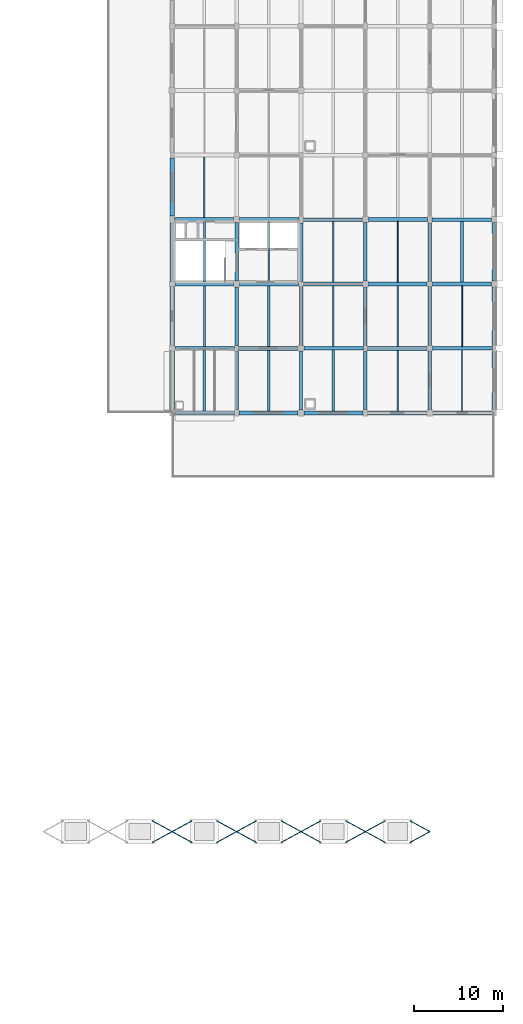
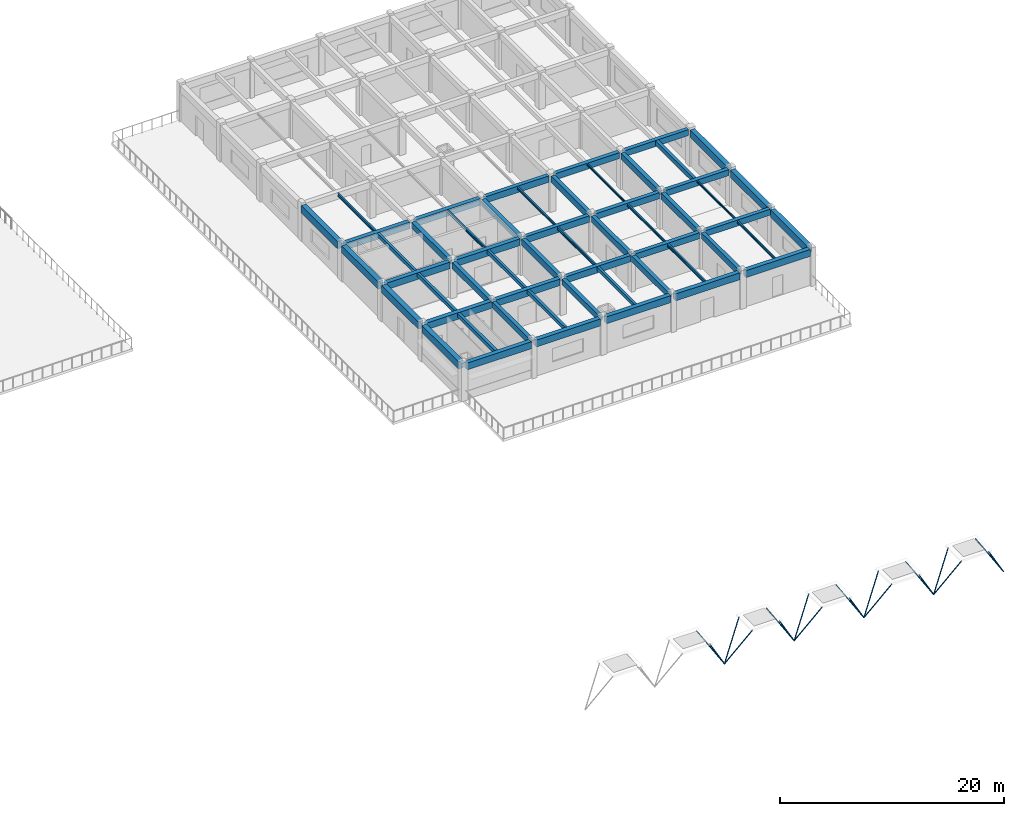
# One storey, part 8 of 38: 55 beams, 18 members.
"""IFC4 building model written with IfcOpenShell, lengths in metres."""

import ifcopenshell
import ifcopenshell.guid

model = None  # the IFC model being written
_history = None  # IfcOwnerHistory: only IFC2X3 demands one
_inside = {}  # id of a spatial element -> (the spatial element, [elements in it])
_under = {}  # id of a project, library or spatial element -> (it, [spatial elements below it])
_declared = {}  # id of a project -> (the project, [libraries it declares])
_typed = {}  # id of a type object -> (the type object, [elements of that type])
_made_of = {}  # id of a material, layer set ... -> (it, [elements and type objects made of it])


def new_model(schema):
    """Start an empty IFC model of exactly this schema.

    Asked for "IFC4X3", IfcOpenShell would pick the latest addendum, in which some entities
    have other attributes; the version numbers below select the first issue.
    IFC2X3 requires an IfcOwnerHistory on every rooted entity: one is made here for all.
    """
    global model, _history
    if schema == "IFC4X3":
        model = ifcopenshell.file(schema_version=(4, 3, 0, 0))
    else:
        model = ifcopenshell.file(schema=schema)
    _inside.clear()
    _under.clear()
    _declared.clear()
    _typed.clear()
    _made_of.clear()
    _history = None
    if model.schema == "IFC2X3":
        org = make("IfcOrganization", Name="unknown")
        user = make(
            "IfcPersonAndOrganization",
            ThePerson=make("IfcPerson", FamilyName="unknown"),
            TheOrganization=org,
        )
        app = make(
            "IfcApplication",
            ApplicationDeveloper=org,
            Version="unknown",
            ApplicationFullName="unknown",
            ApplicationIdentifier="unknown",
        )
        _history = make(
            "IfcOwnerHistory",
            OwningUser=user,
            OwningApplication=app,
            ChangeAction="ADDED",
            CreationDate=0,
        )
    return model


def make(cls, **values):
    """One entity of the class cls with the attributes given. An attribute that is None is left unset."""
    return model.create_entity(
        cls, **{name: value for name, value in values.items() if value is not None}
    )


def rooted(cls, **values):
    """An entity with a GlobalId (a new one), such as an element, a storey or a relation."""
    return make(cls, GlobalId=ifcopenshell.guid.new(), OwnerHistory=_history, **values)


def si_unit(unit_type, name, prefix=None):
    """IfcSIUnit, for example si_unit("LENGTHUNIT", "METRE", prefix="MILLI")."""
    return make("IfcSIUnit", UnitType=unit_type, Prefix=prefix, Name=name)


def assignment(units):
    """IfcUnitAssignment: the units of a project."""
    return None if units is None else make("IfcUnitAssignment", Units=units)


def point(xyz):
    """IfcCartesianPoint."""
    return None if xyz is None else make("IfcCartesianPoint", Coordinates=xyz)


def direction(xyz):
    """IfcDirection."""
    return None if xyz is None else make("IfcDirection", DirectionRatios=xyz)


def frame(location, z_axis=None, x_axis=None):
    """IfcAxis2Placement3D, a coordinate frame: its origin and axes. An axis left out is left unset."""
    return make(
        "IfcAxis2Placement3D",
        Location=point(location),
        Axis=direction(z_axis),
        RefDirection=direction(x_axis),
    )


def frame_2d(location, x_axis=None):
    """IfcAxis2Placement2D, a coordinate frame in the plane: its origin and x axis."""
    return make(
        "IfcAxis2Placement2D", Location=point(location), RefDirection=direction(x_axis)
    )


def origin():
    """The frame at (0, 0, 0) with its axes left unset."""
    return frame((0.0, 0.0, 0.0))


def origin_2d():
    """The frame at (0, 0) in the plane with its x axis left unset."""
    return frame_2d((0.0, 0.0))


def place(relative_to, where):
    """IfcLocalPlacement: puts the frame where relative to a parent placement (None: the world)."""
    return make(
        "IfcLocalPlacement", PlacementRelTo=relative_to, RelativePlacement=where
    )


def context(
    kind, dimensions, precision=None, world=None, true_north=None, identifier=None
):
    """IfcGeometricRepresentationContext, for example the 3D "Model" context."""
    return make(
        "IfcGeometricRepresentationContext",
        ContextIdentifier=identifier,
        ContextType=kind,
        CoordinateSpaceDimension=dimensions,
        Precision=precision,
        WorldCoordinateSystem=world,
        TrueNorth=true_north,
    )


def subcontext(parent, identifier, kind, view, scale=None):
    """IfcGeometricRepresentationSubContext, for example "Body" below "Model"."""
    return make(
        "IfcGeometricRepresentationSubContext",
        ContextIdentifier=identifier,
        ContextType=kind,
        ParentContext=parent,
        TargetScale=scale,
        TargetView=view,
    )


def project(units=None, contexts=None):
    """IfcProject with its units and contexts."""
    return rooted(
        "IfcProject",
        Name="project",
        RepresentationContexts=contexts,
        UnitsInContext=assignment(units),
    )


def spatial(cls, under=None, at=None, **own):
    """A site, building, storey or space (cls), placed at a placement, below another one or the project."""
    s = rooted(cls, ObjectPlacement=at, **own)
    if under is not None:
        _under.setdefault(under.id(), (under, []))[1].append(s)
    return s


def profile(cls, at=None, kind="AREA", **sizes):
    """A parametric profile (cls). Its sizes go by their IFC names, for example OverallWidth=200.0."""
    return make(cls, ProfileType=kind, Position=at, **sizes)


def rectangle(**sizes):
    """IfcRectangleProfileDef."""
    return profile("IfcRectangleProfileDef", **sizes)


def hollow_circle(**sizes):
    """IfcCircleHollowProfileDef."""
    return profile("IfcCircleHollowProfileDef", **sizes)


def i_section(**sizes):
    """IfcIShapeProfileDef."""
    return profile("IfcIShapeProfileDef", **sizes)


def extrude(swept, where, along, depth):
    """IfcExtrudedAreaSolid: the profile swept, set in the frame where, extruded along a direction by depth."""
    return make(
        "IfcExtrudedAreaSolid",
        SweptArea=swept,
        Position=where,
        ExtrudedDirection=direction(along),
        Depth=depth,
    )


def shape(context_of_items, identifier, shape_type, items):
    """IfcShapeRepresentation: the items that make up one representation, for example the "Body"."""
    return make(
        "IfcShapeRepresentation",
        ContextOfItems=context_of_items,
        RepresentationIdentifier=identifier,
        RepresentationType=shape_type,
        Items=items,
    )


def material(Name=None, Category=None):
    """IfcMaterial."""
    return make("IfcMaterial", Name=Name, Category=Category)


def material_profile(
    of_material, cross_section, Name=None, Category=None, Priority=None
):
    """IfcMaterialProfile: a cross section and its material."""
    return make(
        "IfcMaterialProfile",
        Name=Name,
        Material=of_material,
        Profile=cross_section,
        Priority=Priority,
        Category=Category,
    )


def profile_set(profiles, Name=None, composite=None):
    """IfcMaterialProfileSet."""
    return make(
        "IfcMaterialProfileSet",
        Name=Name,
        MaterialProfiles=profiles,
        CompositeProfile=composite,
    )


def made_of(thing, what):
    """Note that an element or type object is made of a material, layer set ...; save() writes the relation."""
    if what is not None:
        _made_of.setdefault(what.id(), (what, []))[1].append(thing)
    return thing


def type_object(cls, material=None, **own):
    """A type object (cls), such as IfcWallType, which elements share."""
    return made_of(rooted(cls, **own), material)


def element(
    cls,
    number,
    at=None,
    inside=None,
    cuts=None,
    type_object=None,
    material=None,
    context=None,
    identifier="Body",
    shape_type=None,
    held_by="IfcProductDefinitionShape",
    body=None,
    shapes=None,
    **own,
):
    """One element of the class cls, such as IfcWall. Its Tag is "e" and its number.

    at: its placement. inside: the storey or other place that contains it. cuts: it is an
    opening in that element (IfcRelVoidsElement). A single representation is given by context,
    identifier, shape_type and body (its items); several are given by shapes. held_by: the class
    of the entity that holds the representations. save() writes the other relations.
    """
    e = rooted(cls, Tag="e%d" % number, ObjectPlacement=at, **own)
    if body is not None:
        shapes = [shape(context, identifier, shape_type, body)]
    if shapes is not None:
        e.Representation = make(held_by, Representations=shapes)
    if inside is not None:
        _inside.setdefault(inside.id(), (inside, []))[1].append(e)
    if cuts is not None:
        rooted(
            "IfcRelVoidsElement", RelatingBuildingElement=cuts, RelatedOpeningElement=e
        )
    if type_object is not None:
        _typed.setdefault(type_object.id(), (type_object, []))[1].append(e)
    return made_of(e, material)


def aggregate(whole, parts):
    """IfcRelAggregates: a whole, such as a stair, and the parts it consists of."""
    return rooted("IfcRelAggregates", RelatingObject=whole, RelatedObjects=parts)


def save(model, path):
    """Write the relations noted so far, then the file.

    IfcRelAggregates (storeys below a building ...), IfcRelContainedInSpatialStructure (elements
    in a storey), IfcRelDefinesByType, IfcRelAssociatesMaterial and IfcRelDeclares: one each for
    every whole, place, type object, material and project.
    """
    for whole, parts in _under.values():
        aggregate(whole, parts)
    for where, things in _inside.values():
        rooted(
            "IfcRelContainedInSpatialStructure",
            RelatedElements=things,
            RelatingStructure=where,
        )
    for kind, things in _typed.values():
        rooted("IfcRelDefinesByType", RelatedObjects=things, RelatingType=kind)
    for what, things in _made_of.values():
        rooted("IfcRelAssociatesMaterial", RelatedObjects=things, RelatingMaterial=what)
    for by, libraries in _declared.values():
        rooted("IfcRelDeclares", RelatingContext=by, RelatedDefinitions=libraries)
    model.write(path)


model = new_model("IFC4")

# Units and contexts
model_context = context("Model", 3, precision=1e-05, world=origin(), true_north=direction((0.0, 1.0)))
body_context = subcontext(model_context, "Body", "Model", "MODEL_VIEW")
ifc_project = project(units=[si_unit("LENGTHUNIT", "METRE"), si_unit("AREAUNIT", "SQUARE_METRE"), si_unit("VOLUMEUNIT", "CUBIC_METRE"), si_unit("PLANEANGLEUNIT", "RADIAN"), si_unit("MASSUNIT", "GRAM", prefix="KILO")], contexts=[model_context])

# Site, building, storey
site_placement = place(None, origin())
site = spatial("IfcSite", under=ifc_project, at=site_placement, CompositionType="ELEMENT")
building_placement = place(site_placement, origin())
building = spatial("IfcBuilding", under=site, at=building_placement, Name="Thalmaran Polytechnic", CompositionType="ELEMENT")
storey_placement = place(building_placement, frame((0.0, 0.0, 18.60009765625)))
storey = spatial("IfcBuildingStorey", under=building, at=storey_placement, Name="L04", CompositionType="ELEMENT", Elevation=18.60009765625)

# Beams
ifc_material_1 = material(Name="Concrete C40/50", Category="concrete")
ifc_material_profile_1 = material_profile(ifc_material_1, rectangle(XDim=0.449951171875, YDim=0.72509765625, at=origin_2d()), Name="RC 450x725")
ifc_profile_set_1 = profile_set([ifc_material_profile_1], Name="Concrete C40/50")
beam_type_1 = type_object("IfcBeamType", Name="BM-RC04", PredefinedType="BEAM", material=ifc_profile_set_1)
beam_1_placement = place(storey_placement, frame((137.110107421875, 79.199951171875, 3.602294921875), z_axis=(1.0, 0.0, 0.0), x_axis=(0.0, 1.0, 0.0)))
element("IfcBeam", 1, at=beam_1_placement, inside=storey, type_object=beam_type_1, Name="Grid Beam B04 L04 X(19,11)", PredefinedType="BEAM", context=body_context, shape_type="SweptSolid", body=[
    extrude(rectangle(XDim=0.449951171875, YDim=0.72509765625, at=origin_2d()), origin(), (0.0, 0.0, 1.0), 6.679931640625),
])
beam_2_placement = place(storey_placement, frame((137.10009765625, 86.39990234375, 3.602294921875), z_axis=(1.0, 0.0, 0.0), x_axis=(0.0, 1.0, 0.0)))
element("IfcBeam", 2, at=beam_2_placement, inside=storey, type_object=beam_type_1, Name="Grid Beam B04 L04 X(19,12)", PredefinedType="BEAM", context=body_context, shape_type="SweptSolid", body=[
    extrude(rectangle(XDim=0.449951171875, YDim=0.72509765625, at=origin_2d()), origin(), (0.0, 0.0, 1.0), 6.559814453125),
])
beam_3_placement = place(storey_placement, frame((137.050048828125, 93.60009765625, 3.602294921875), z_axis=(1.0, 0.0, 0.0), x_axis=(0.0, 1.0, 0.0)))
element("IfcBeam", 3, at=beam_3_placement, inside=storey, type_object=beam_type_1, Name="Grid Beam B04 L04 X(19,13)", PredefinedType="BEAM", context=body_context, shape_type="SweptSolid", body=[
    extrude(rectangle(XDim=0.449951171875, YDim=0.72509765625, at=origin_2d()), origin(), (0.0, 0.0, 1.0), 6.625),
])
ifc_material_profile_2 = material_profile(ifc_material_1, rectangle(XDim=0.39990234375, YDim=0.699951171875, at=origin_2d()), Name="RC 400x700")
ifc_profile_set_2 = profile_set([ifc_material_profile_2], Name="Concrete C40/50")
beam_type_2 = type_object("IfcBeamType", Name="BM-RC05", PredefinedType="BEAM", material=ifc_profile_set_2)
beam_4_placement = place(storey_placement, frame((151.510009765625, 79.199951171875, 3.614990234375), z_axis=(1.0, 0.0, 0.0), x_axis=(0.0, 1.0, 0.0)))
element("IfcBeam", 4, at=beam_4_placement, inside=storey, type_object=beam_type_2, Name="Grid Beam B05 L04 X(21,11)", PredefinedType="BEAM", context=body_context, shape_type="SweptSolid", body=[
    extrude(rectangle(XDim=0.39990234375, YDim=0.699951171875, at=origin_2d()), origin(), (0.0, 0.0, 1.0), 6.679931640625),
])
beam_5_placement = place(storey_placement, frame((151.5, 86.39990234375, 3.614990234375), z_axis=(1.0, 0.0, 0.0), x_axis=(0.0, 1.0, 0.0)))
element("IfcBeam", 5, at=beam_5_placement, inside=storey, type_object=beam_type_2, Name="Grid Beam B05 L04 X(21,12)", PredefinedType="BEAM", context=body_context, shape_type="SweptSolid", body=[
    extrude(rectangle(XDim=0.39990234375, YDim=0.699951171875, at=origin_2d()), origin(), (0.0, 0.0, 1.0), 6.56005859375),
])
beam_6_placement = place(storey_placement, frame((151.449951171875, 93.60009765625, 3.614990234375), z_axis=(1.0, 0.0, 0.0), x_axis=(0.0, 1.0, 0.0)))
element("IfcBeam", 6, at=beam_6_placement, inside=storey, type_object=beam_type_2, Name="Grid Beam B05 L04 X(21,13)", PredefinedType="BEAM", context=body_context, shape_type="SweptSolid", body=[
    extrude(rectangle(XDim=0.39990234375, YDim=0.699951171875, at=origin_2d()), origin(), (0.0, 0.0, 1.0), 6.625),
])
ifc_material_profile_3 = material_profile(ifc_material_1, rectangle(XDim=0.39990234375, YDim=0.64990234375, at=origin_2d()), Name="RC 400x650")
ifc_profile_set_3 = profile_set([ifc_material_profile_3], Name="Concrete C40/50")
beam_type_3 = type_object("IfcBeamType", Name="BM-RC06", PredefinedType="BEAM", material=ifc_profile_set_3)
beam_7_placement = place(storey_placement, frame((165.909912109375, 79.199951171875, 3.639892578125), z_axis=(1.0, 0.0, 0.0), x_axis=(0.0, 1.0, 0.0)))
element("IfcBeam", 7, at=beam_7_placement, inside=storey, type_object=beam_type_3, Name="Grid Beam B06 L04 X(23,11)", PredefinedType="BEAM", context=body_context, shape_type="SweptSolid", body=[
    extrude(rectangle(XDim=0.39990234375, YDim=0.64990234375, at=origin_2d()), origin(), (0.0, 0.0, 1.0), 6.68017578125),
])
beam_8_placement = place(storey_placement, frame((165.89990234375, 86.39990234375, 3.639892578125), z_axis=(1.0, 0.0, 0.0), x_axis=(0.0, 1.0, 0.0)))
element("IfcBeam", 8, at=beam_8_placement, inside=storey, type_object=beam_type_3, Name="Grid Beam B06 L04 X(23,12)", PredefinedType="BEAM", context=body_context, shape_type="SweptSolid", body=[
    extrude(rectangle(XDim=0.39990234375, YDim=0.64990234375, at=origin_2d()), origin(), (0.0, 0.0, 1.0), 6.56005859375),
])
beam_9_placement = place(storey_placement, frame((165.85009765625, 93.60009765625, 3.639892578125), z_axis=(1.0, 0.0, 0.0), x_axis=(0.0, 1.0, 0.0)))
element("IfcBeam", 9, at=beam_9_placement, inside=storey, type_object=beam_type_3, Name="Grid Beam B06 L04 X(23,13)", PredefinedType="BEAM", context=body_context, shape_type="SweptSolid", body=[
    extrude(rectangle(XDim=0.39990234375, YDim=0.64990234375, at=origin_2d()), origin(), (0.0, 0.0, 1.0), 6.625),
])
ifc_material_profile_4 = material_profile(ifc_material_1, rectangle(XDim=0.389892578125, YDim=0.68505859375, at=origin_2d()), Name="RC 390x685")
ifc_profile_set_4 = profile_set([ifc_material_profile_4], Name="Concrete C40/50")
beam_type_4 = type_object("IfcBeamType", Name="BM-RC08", PredefinedType="BEAM", material=ifc_profile_set_4)
beam_10_placement = place(storey_placement, frame((144.0, 79.52001953125, 3.622314453125), z_axis=(0.0, 1.0, 0.0), x_axis=(-1.0, 0.0, 0.0)))
element("IfcBeam", 10, at=beam_10_placement, inside=storey, type_object=beam_type_4, Name="Grid Beam B08 L04 Y(20,11)", PredefinedType="BEAM", context=body_context, shape_type="SweptSolid", body=[
    extrude(rectangle(XDim=0.389892578125, YDim=0.68505859375, at=origin_2d()), origin(), (0.0, 0.0, 1.0), 6.5400390625),
])
beam_11_placement = place(storey_placement, frame((151.199951171875, 79.510009765625, 3.622314453125), z_axis=(0.0, 1.0, 0.0), x_axis=(-1.0, 0.0, 0.0)))
element("IfcBeam", 11, at=beam_11_placement, inside=storey, type_object=beam_type_4, Name="Grid Beam B08 L04 Y(21,11)", PredefinedType="BEAM", context=body_context, shape_type="SweptSolid", body=[
    extrude(rectangle(XDim=0.389892578125, YDim=0.68505859375, at=origin_2d()), origin(), (0.0, 0.0, 1.0), 6.590087890625),
])
beam_12_placement = place(storey_placement, frame((158.39990234375, 79.52001953125, 3.622314453125), z_axis=(0.0, 1.0, 0.0), x_axis=(-1.0, 0.0, 0.0)))
element("IfcBeam", 12, at=beam_12_placement, inside=storey, type_object=beam_type_4, Name="Grid Beam B08 L04 Y(22,11)", PredefinedType="BEAM", context=body_context, shape_type="SweptSolid", body=[
    extrude(rectangle(XDim=0.389892578125, YDim=0.68505859375, at=origin_2d()), origin(), (0.0, 0.0, 1.0), 6.5400390625),
])
beam_13_placement = place(storey_placement, frame((165.60009765625, 79.510009765625, 3.622314453125), z_axis=(0.0, 1.0, 0.0), x_axis=(-1.0, 0.0, 0.0)))
element("IfcBeam", 13, at=beam_13_placement, inside=storey, type_object=beam_type_4, Name="Grid Beam B08 L04 Y(23,11)", PredefinedType="BEAM", context=body_context, shape_type="SweptSolid", body=[
    extrude(rectangle(XDim=0.389892578125, YDim=0.68505859375, at=origin_2d()), origin(), (0.0, 0.0, 1.0), 6.590087890625),
])
ifc_material_profile_5 = material_profile(ifc_material_1, rectangle(XDim=0.300048828125, YDim=0.5, at=origin_2d()), Name="RC 300x500")
ifc_profile_set_5 = profile_set([ifc_material_profile_5], Name="Concrete C40/50")
beam_type_5 = type_object("IfcBeamType", Name="BM-RC11", PredefinedType="JOIST", material=ifc_profile_set_5)
beam_14_placement = place(storey_placement, frame((169.199951171875, 86.60009765625, 3.71484375), z_axis=(0.0, 1.0, 0.0), x_axis=(-1.0, 0.0, 0.0)))
element("IfcBeam", 14, at=beam_14_placement, inside=storey, type_object=beam_type_5, Name="Secondary Floor Rib RB01 L04 (23,12)", PredefinedType="JOIST", context=body_context, shape_type="SweptSolid", body=[
    extrude(rectangle(XDim=0.300048828125, YDim=0.5, at=origin_2d()), origin(), (0.0, 0.0, 1.0), 6.7998046875),
])
ifc_material_profile_6 = material_profile(ifc_material_1, rectangle(XDim=0.280029296875, YDim=0.449951171875, at=origin_2d()), Name="RC 280x450")
ifc_profile_set_6 = profile_set([ifc_material_profile_6], Name="Concrete C40/50")
beam_type_6 = type_object("IfcBeamType", Name="BM-RC13", PredefinedType="JOIST", material=ifc_profile_set_6)
beam_15_placement = place(storey_placement, frame((140.39990234375, 72.22509765625, 3.739990234375), z_axis=(0.0, 1.0, 0.0), x_axis=(-1.0, 0.0, 0.0)))
element("IfcBeam", 15, at=beam_15_placement, inside=storey, type_object=beam_type_6, Name="Secondary Floor Rib RB03 L04 (19,10)", PredefinedType="JOIST", context=body_context, shape_type="SweptSolid", body=[
    extrude(rectangle(XDim=0.280029296875, YDim=0.449951171875, at=origin_2d()), origin(), (0.0, 0.0, 1.0), 6.75),
])
ifc_material_2 = material(Name="Steel S355", Category="steel")
ifc_material_profile_7 = material_profile(ifc_material_2, i_section(OverallWidth=0.159912109375, OverallDepth=0.330078125, WebThickness=0.007568359375, FlangeThickness=0.011474609375, at=origin_2d()), Name="IPE 330")
ifc_profile_set_7 = profile_set([ifc_material_profile_7], Name="Steel S355")
beam_type_7 = type_object("IfcBeamType", Name="BM-SJ02", PredefinedType="JOIST", material=ifc_profile_set_7)
beam_16_placement = place(storey_placement, frame((140.39990234375, 93.824951171875, 3.7998046875), z_axis=(0.0, 1.0, 0.0), x_axis=(-1.0, 0.0, 0.0)))
element("IfcBeam", 16, at=beam_16_placement, inside=storey, type_object=beam_type_7, Name="Secondary Floor Rib SJ02 L04 (19,13)", PredefinedType="JOIST", context=body_context, shape_type="SweptSolid", body=[
    extrude(i_section(OverallWidth=0.159912109375, OverallDepth=0.330078125, WebThickness=0.007568359375, FlangeThickness=0.011474609375, at=origin_2d()), origin(), (0.0, 0.0, 1.0), 6.75),
])
beam_17_placement = place(storey_placement, frame((147.60009765625, 86.6201171875, 3.7998046875), z_axis=(0.0, 1.0, 0.0), x_axis=(-1.0, 0.0, 0.0)))
element("IfcBeam", 17, at=beam_17_placement, inside=storey, type_object=beam_type_7, Name="Secondary Floor Rib SJ02 L04 (20,12)", PredefinedType="JOIST", context=body_context, shape_type="SweptSolid", body=[
    extrude(i_section(OverallWidth=0.159912109375, OverallDepth=0.330078125, WebThickness=0.007568359375, FlangeThickness=0.011474609375, at=origin_2d()), origin(), (0.0, 0.0, 1.0), 6.759765625),
])
beam_18_placement = place(storey_placement, frame((154.800048828125, 79.39990234375, 3.7998046875), z_axis=(0.0, 1.0, 0.0), x_axis=(-1.0, 0.0, 0.0)))
element("IfcBeam", 18, at=beam_18_placement, inside=storey, type_object=beam_type_7, Name="Secondary Floor Rib SJ02 L04 (21,11)", PredefinedType="JOIST", context=body_context, shape_type="SweptSolid", body=[
    extrude(i_section(OverallWidth=0.159912109375, OverallDepth=0.330078125, WebThickness=0.007568359375, FlangeThickness=0.011474609375, at=origin_2d()), origin(), (0.0, 0.0, 1.0), 6.800048828125),
])
beam_19_placement = place(storey_placement, frame((162.0, 72.22509765625, 3.7998046875), z_axis=(0.0, 1.0, 0.0), x_axis=(-1.0, 0.0, 0.0)))
element("IfcBeam", 19, at=beam_19_placement, inside=storey, type_object=beam_type_7, Name="Secondary Floor Rib SJ02 L04 (22,10)", PredefinedType="JOIST", context=body_context, shape_type="SweptSolid", body=[
    extrude(i_section(OverallWidth=0.159912109375, OverallDepth=0.330078125, WebThickness=0.007568359375, FlangeThickness=0.011474609375, at=origin_2d()), origin(), (0.0, 0.0, 1.0), 6.764892578125),
])
ifc_material_profile_8 = material_profile(ifc_material_2, i_section(OverallWidth=0.135009765625, OverallDepth=0.27001953125, WebThickness=0.006591796875, FlangeThickness=0.01025390625, at=origin_2d()), Name="IPE 270")
ifc_profile_set_8 = profile_set([ifc_material_profile_8], Name="Steel S355")
beam_type_8 = type_object("IfcBeamType", Name="BM-SJ03", PredefinedType="JOIST", material=ifc_profile_set_8)
beam_20_placement = place(storey_placement, frame((154.800048828125, 86.60009765625, 3.829833984375), z_axis=(0.0, 1.0, 0.0), x_axis=(-1.0, 0.0, 0.0)))
element("IfcBeam", 20, at=beam_20_placement, inside=storey, type_object=beam_type_8, Name="Secondary Floor Rib SJ03 L04 (21,12)", PredefinedType="JOIST", context=body_context, shape_type="SweptSolid", body=[
    extrude(i_section(OverallWidth=0.135009765625, OverallDepth=0.27001953125, WebThickness=0.006591796875, FlangeThickness=0.01025390625, at=origin_2d()), origin(), (0.0, 0.0, 1.0), 6.7998046875),
])
beam_21_placement = place(storey_placement, frame((162.0, 79.409912109375, 3.829833984375), z_axis=(0.0, 1.0, 0.0), x_axis=(-1.0, 0.0, 0.0)))
element("IfcBeam", 21, at=beam_21_placement, inside=storey, type_object=beam_type_8, Name="Secondary Floor Rib SJ03 L04 (22,11)", PredefinedType="JOIST", context=body_context, shape_type="SweptSolid", body=[
    extrude(i_section(OverallWidth=0.135009765625, OverallDepth=0.27001953125, WebThickness=0.006591796875, FlangeThickness=0.01025390625, at=origin_2d()), origin(), (0.0, 0.0, 1.0), 6.780029296875),
])
beam_22_placement = place(storey_placement, frame((169.199951171875, 72.22509765625, 3.829833984375), z_axis=(0.0, 1.0, 0.0), x_axis=(-1.0, 0.0, 0.0)))
element("IfcBeam", 22, at=beam_22_placement, inside=storey, type_object=beam_type_8, Name="Secondary Floor Rib SJ03 L04 (23,10)", PredefinedType="JOIST", context=body_context, shape_type="SweptSolid", body=[
    extrude(i_section(OverallWidth=0.135009765625, OverallDepth=0.27001953125, WebThickness=0.006591796875, FlangeThickness=0.01025390625, at=origin_2d()), origin(), (0.0, 0.0, 1.0), 6.77490234375),
])
ifc_material_profile_9 = material_profile(ifc_material_2, i_section(OverallWidth=0.110107421875, OverallDepth=0.219970703125, WebThickness=0.005859375, FlangeThickness=0.00927734375, at=origin_2d()), Name="IPE 220")
ifc_profile_set_9 = profile_set([ifc_material_profile_9], Name="Steel S355")
beam_type_9 = type_object("IfcBeamType", Name="BM-SJ04", PredefinedType="JOIST", material=ifc_profile_set_9)
beam_23_placement = place(storey_placement, frame((162.0, 86.610107421875, 3.85498046875), z_axis=(0.0, 1.0, 0.0), x_axis=(-1.0, 0.0, 0.0)))
element("IfcBeam", 23, at=beam_23_placement, inside=storey, type_object=beam_type_9, Name="Secondary Floor Rib SJ04 L04 (22,12)", PredefinedType="JOIST", context=body_context, shape_type="SweptSolid", body=[
    extrude(i_section(OverallWidth=0.110107421875, OverallDepth=0.219970703125, WebThickness=0.005859375, FlangeThickness=0.00927734375, at=origin_2d()), origin(), (0.0, 0.0, 1.0), 6.77978515625),
])
beam_24_placement = place(storey_placement, frame((169.199951171875, 79.39990234375, 3.85498046875), z_axis=(0.0, 1.0, 0.0), x_axis=(-1.0, 0.0, 0.0)))
element("IfcBeam", 24, at=beam_24_placement, inside=storey, type_object=beam_type_9, Name="Secondary Floor Rib SJ04 L04 (23,11)", PredefinedType="JOIST", context=body_context, shape_type="SweptSolid", body=[
    extrude(i_section(OverallWidth=0.110107421875, OverallDepth=0.219970703125, WebThickness=0.005859375, FlangeThickness=0.00927734375, at=origin_2d()), origin(), (0.0, 0.0, 1.0), 6.800048828125),
])
ifc_material_profile_10 = material_profile(ifc_material_1, rectangle(XDim=0.449951171875, YDim=0.7548828125, at=origin_2d()), Name="RC 450x755")
ifc_profile_set_10 = profile_set([ifc_material_profile_10], Name="Concrete C40/50")
beam_type_10 = type_object("IfcBeamType", Name="BM-SP02", PredefinedType="SPANDREL", material=ifc_profile_set_10)
for number, where, z_axis, x_axis, name in (
    (25, (137.125, 72.0, 3.58740234375), (1.0, 0.0, 0.0), (0.0, 1.0, 0.0), "Grid Beam SP02 L04 X(19,10)"),
    (26, (144.25, 72.0, 3.58740234375), (1.0, 0.0, 0.0), (0.0, 1.0, 0.0), "Grid Beam SP02 L04 X(20,10)"),
    (27, (151.52490234375, 72.0, 3.58740234375), (1.0, 0.0, 0.0), (0.0, 1.0, 0.0), "Grid Beam SP02 L04 X(21,10)"),
    (28, (158.64990234375, 72.0, 3.58740234375), (1.0, 0.0, 0.0), (0.0, 1.0, 0.0), "Grid Beam SP02 L04 X(22,10)"),
    (29, (165.925048828125, 72.0, 3.58740234375), (1.0, 0.0, 0.0), (0.0, 1.0, 0.0), "Grid Beam SP02 L04 X(23,10)"),
):
    element("IfcBeam", number, at=place(storey_placement, frame(where, z_axis=z_axis, x_axis=x_axis)), inside=storey, type_object=beam_type_10, Name=name, PredefinedType="SPANDREL", context=body_context, shape_type="SweptSolid", body=[
        extrude(rectangle(XDim=0.449951171875, YDim=0.7548828125, at=origin_2d()), origin(), (0.0, 0.0, 1.0), 6.625),
    ])
ifc_material_profile_11 = material_profile(ifc_material_1, rectangle(XDim=0.5, YDim=0.804931640625, at=origin_2d()), Name="RC 500x805")
ifc_profile_set_11 = profile_set([ifc_material_profile_11], Name="Concrete C40/50")
beam_type_11 = type_object("IfcBeamType", Name="BM-SP03", PredefinedType="SPANDREL", material=ifc_profile_set_11)
beam_25_placement = place(storey_placement, frame((136.800048828125, 72.324951171875, 3.5625), z_axis=(0.0, 1.0, 0.0), x_axis=(-1.0, 0.0, 0.0)))
element("IfcBeam", 30, at=beam_25_placement, inside=storey, type_object=beam_type_11, Name="Grid Beam SP03 L04 Y(19,10)", PredefinedType="SPANDREL", context=body_context, shape_type="SweptSolid", body=[
    extrude(rectangle(XDim=0.5, YDim=0.804931640625, at=origin_2d()), origin(), (0.0, 0.0, 1.0), 6.56494140625),
])
beam_26_placement = place(storey_placement, frame((136.800048828125, 79.510009765625, 3.5625), z_axis=(0.0, 1.0, 0.0), x_axis=(-1.0, 0.0, 0.0)))
element("IfcBeam", 31, at=beam_26_placement, inside=storey, type_object=beam_type_11, Name="Grid Beam SP03 L04 Y(19,11)", PredefinedType="SPANDREL", context=body_context, shape_type="SweptSolid", body=[
    extrude(rectangle(XDim=0.5, YDim=0.804931640625, at=origin_2d()), origin(), (0.0, 0.0, 1.0), 6.590087890625),
])
beam_27_placement = place(storey_placement, frame((136.800048828125, 86.699951171875, 3.5625), z_axis=(0.0, 1.0, 0.0), x_axis=(-1.0, 0.0, 0.0)))
element("IfcBeam", 32, at=beam_27_placement, inside=storey, type_object=beam_type_11, Name="Grid Beam SP03 L04 Y(19,12)", PredefinedType="SPANDREL", context=body_context, shape_type="SweptSolid", body=[
    extrude(rectangle(XDim=0.5, YDim=0.804931640625, at=origin_2d()), origin(), (0.0, 0.0, 1.0), 6.525146484375),
])
for number, where, z_axis, x_axis, name in (
    (33, (136.800048828125, 93.97509765625, 3.5625), (0.0, 1.0, 0.0), (-1.0, 0.0, 0.0), "Grid Beam SP03 L04 Y(19,13)"),
    (34, (172.800048828125, 72.375, 3.5625), (0.0, 1.0, 0.0), (-1.0, 0.0, 0.0), "Grid Beam SP03 L04 Y(24,10)"),
):
    element("IfcBeam", number, at=place(storey_placement, frame(where, z_axis=z_axis, x_axis=x_axis)), inside=storey, type_object=beam_type_11, Name=name, PredefinedType="SPANDREL", context=body_context, shape_type="SweptSolid", body=[
        extrude(rectangle(XDim=0.5, YDim=0.804931640625, at=origin_2d()), origin(), (0.0, 0.0, 1.0), 6.5048828125),
    ])
beam_28_placement = place(storey_placement, frame((172.800048828125, 79.52001953125, 3.5625), z_axis=(0.0, 1.0, 0.0), x_axis=(-1.0, 0.0, 0.0)))
element("IfcBeam", 35, at=beam_28_placement, inside=storey, type_object=beam_type_11, Name="Grid Beam SP03 L04 Y(24,11)", PredefinedType="SPANDREL", context=body_context, shape_type="SweptSolid", body=[
    extrude(rectangle(XDim=0.5, YDim=0.804931640625, at=origin_2d()), origin(), (0.0, 0.0, 1.0), 6.5400390625),
])
beam_29_placement = place(storey_placement, frame((172.800048828125, 86.739990234375, 3.5625), z_axis=(0.0, 1.0, 0.0), x_axis=(-1.0, 0.0, 0.0)))
element("IfcBeam", 36, at=beam_29_placement, inside=storey, type_object=beam_type_11, Name="Grid Beam SP03 L04 Y(24,12)", PredefinedType="SPANDREL", context=body_context, shape_type="SweptSolid", body=[
    extrude(rectangle(XDim=0.5, YDim=0.804931640625, at=origin_2d()), origin(), (0.0, 0.0, 1.0), 6.534912109375),
])
ifc_material_profile_12 = material_profile(ifc_material_1, rectangle(XDim=0.43994140625, YDim=0.719970703125, at=origin_2d()), Name="RC 440x720")
ifc_profile_set_12 = profile_set([ifc_material_profile_12], Name="Concrete C40/50")
beam_type_12 = type_object("IfcBeamType", Name="BM-ZB03", PredefinedType="BEAM", material=ifc_profile_set_12)
beam_30_placement = place(storey_placement, frame((144.2099609375, 79.199951171875, 3.60498046875), z_axis=(1.0, 0.0, 0.0), x_axis=(0.0, 1.0, 0.0)))
element("IfcBeam", 37, at=beam_30_placement, inside=storey, type_object=beam_type_12, Name="Grid Beam ZB03 L04 X(20,11)", PredefinedType="BEAM", context=body_context, shape_type="SweptSolid", body=[
    extrude(rectangle(XDim=0.43994140625, YDim=0.719970703125, at=origin_2d()), origin(), (0.0, 0.0, 1.0), 6.679931640625),
])
beam_31_placement = place(storey_placement, frame((144.340087890625, 86.39990234375, 3.60498046875), z_axis=(1.0, 0.0, 0.0), x_axis=(0.0, 1.0, 0.0)))
element("IfcBeam", 38, at=beam_31_placement, inside=storey, type_object=beam_type_12, Name="Grid Beam ZB03 L04 X(20,12)", PredefinedType="BEAM", context=body_context, shape_type="SweptSolid", body=[
    extrude(rectangle(XDim=0.43994140625, YDim=0.719970703125, at=origin_2d()), origin(), (0.0, 0.0, 1.0), 6.559814453125),
])
beam_32_placement = place(storey_placement, frame((144.324951171875, 93.60009765625, 3.60498046875), z_axis=(1.0, 0.0, 0.0), x_axis=(0.0, 1.0, 0.0)))
element("IfcBeam", 39, at=beam_32_placement, inside=storey, type_object=beam_type_12, Name="Grid Beam ZB03 L04 X(20,13)", PredefinedType="BEAM", context=body_context, shape_type="SweptSolid", body=[
    extrude(rectangle(XDim=0.43994140625, YDim=0.719970703125, at=origin_2d()), origin(), (0.0, 0.0, 1.0), 6.625),
])
ifc_material_profile_13 = material_profile(ifc_material_1, rectangle(XDim=0.419921875, YDim=0.659912109375, at=origin_2d()), Name="RC 420x660")
ifc_profile_set_13 = profile_set([ifc_material_profile_13], Name="Concrete C40/50")
beam_type_13 = type_object("IfcBeamType", Name="BM-ZB04", PredefinedType="BEAM", material=ifc_profile_set_13)
beam_33_placement = place(storey_placement, frame((158.610107421875, 79.199951171875, 3.635009765625), z_axis=(1.0, 0.0, 0.0), x_axis=(0.0, 1.0, 0.0)))
element("IfcBeam", 40, at=beam_33_placement, inside=storey, type_object=beam_type_13, Name="Grid Beam ZB04 L04 X(22,11)", PredefinedType="BEAM", context=body_context, shape_type="SweptSolid", body=[
    extrude(rectangle(XDim=0.419921875, YDim=0.659912109375, at=origin_2d()), origin(), (0.0, 0.0, 1.0), 6.679931640625),
])
beam_34_placement = place(storey_placement, frame((158.739990234375, 86.39990234375, 3.635009765625), z_axis=(1.0, 0.0, 0.0), x_axis=(0.0, 1.0, 0.0)))
element("IfcBeam", 41, at=beam_34_placement, inside=storey, type_object=beam_type_13, Name="Grid Beam ZB04 L04 X(22,12)", PredefinedType="BEAM", context=body_context, shape_type="SweptSolid", body=[
    extrude(rectangle(XDim=0.419921875, YDim=0.659912109375, at=origin_2d()), origin(), (0.0, 0.0, 1.0), 6.56005859375),
])
beam_35_placement = place(storey_placement, frame((158.72509765625, 93.60009765625, 3.635009765625), z_axis=(1.0, 0.0, 0.0), x_axis=(0.0, 1.0, 0.0)))
element("IfcBeam", 42, at=beam_35_placement, inside=storey, type_object=beam_type_13, Name="Grid Beam ZB04 L04 X(22,13)", PredefinedType="BEAM", context=body_context, shape_type="SweptSolid", body=[
    extrude(rectangle(XDim=0.419921875, YDim=0.659912109375, at=origin_2d()), origin(), (0.0, 0.0, 1.0), 6.625),
])
ifc_material_profile_14 = material_profile(ifc_material_1, rectangle(XDim=0.3798828125, YDim=0.635009765625, at=origin_2d()), Name="RC 380x635")
ifc_profile_set_14 = profile_set([ifc_material_profile_14], Name="Concrete C40/50")
beam_type_14 = type_object("IfcBeamType", Name="BM-ZB06", PredefinedType="BEAM", material=ifc_profile_set_14)
beam_36_placement = place(storey_placement, frame((144.0, 72.375, 3.6474609375), z_axis=(0.0, 1.0, 0.0), x_axis=(-1.0, 0.0, 0.0)))
element("IfcBeam", 43, at=beam_36_placement, inside=storey, type_object=beam_type_14, Name="Grid Beam ZB06 L04 Y(20,10)", PredefinedType="BEAM", context=body_context, shape_type="SweptSolid", body=[
    extrude(rectangle(XDim=0.3798828125, YDim=0.635009765625, at=origin_2d()), origin(), (0.0, 0.0, 1.0), 6.5048828125),
])
beam_37_placement = place(storey_placement, frame((151.199951171875, 72.324951171875, 3.6474609375), z_axis=(0.0, 1.0, 0.0), x_axis=(-1.0, 0.0, 0.0)))
element("IfcBeam", 44, at=beam_37_placement, inside=storey, type_object=beam_type_14, Name="Grid Beam ZB06 L04 Y(21,10)", PredefinedType="BEAM", context=body_context, shape_type="SweptSolid", body=[
    extrude(rectangle(XDim=0.3798828125, YDim=0.635009765625, at=origin_2d()), origin(), (0.0, 0.0, 1.0), 6.56494140625),
])
beam_38_placement = place(storey_placement, frame((158.39990234375, 72.375, 3.6474609375), z_axis=(0.0, 1.0, 0.0), x_axis=(-1.0, 0.0, 0.0)))
element("IfcBeam", 45, at=beam_38_placement, inside=storey, type_object=beam_type_14, Name="Grid Beam ZB06 L04 Y(22,10)", PredefinedType="BEAM", context=body_context, shape_type="SweptSolid", body=[
    extrude(rectangle(XDim=0.3798828125, YDim=0.635009765625, at=origin_2d()), origin(), (0.0, 0.0, 1.0), 6.5048828125),
])
beam_39_placement = place(storey_placement, frame((165.60009765625, 72.324951171875, 3.6474609375), z_axis=(0.0, 1.0, 0.0), x_axis=(-1.0, 0.0, 0.0)))
element("IfcBeam", 46, at=beam_39_placement, inside=storey, type_object=beam_type_14, Name="Grid Beam ZB06 L04 Y(23,10)", PredefinedType="BEAM", context=body_context, shape_type="SweptSolid", body=[
    extrude(rectangle(XDim=0.3798828125, YDim=0.635009765625, at=origin_2d()), origin(), (0.0, 0.0, 1.0), 6.56494140625),
])
ifc_material_profile_15 = material_profile(ifc_material_1, rectangle(XDim=0.39990234375, YDim=0.68505859375, at=origin_2d()), Name="RC 400x685")
ifc_profile_set_15 = profile_set([ifc_material_profile_15], Name="Concrete C40/50")
beam_type_15 = type_object("IfcBeamType", Name="BM-ZB07", PredefinedType="BEAM", material=ifc_profile_set_15)
beam_40_placement = place(storey_placement, frame((144.0, 86.739990234375, 3.622314453125), z_axis=(0.0, 1.0, 0.0), x_axis=(-1.0, 0.0, 0.0)))
element("IfcBeam", 47, at=beam_40_placement, inside=storey, type_object=beam_type_15, Name="Grid Beam ZB07 L04 Y(20,12)", PredefinedType="BEAM", context=body_context, shape_type="SweptSolid", body=[
    extrude(rectangle(XDim=0.39990234375, YDim=0.68505859375, at=origin_2d()), origin(), (0.0, 0.0, 1.0), 6.534912109375),
])
beam_41_placement = place(storey_placement, frame((151.199951171875, 86.699951171875, 3.622314453125), z_axis=(0.0, 1.0, 0.0), x_axis=(-1.0, 0.0, 0.0)))
element("IfcBeam", 48, at=beam_41_placement, inside=storey, type_object=beam_type_15, Name="Grid Beam ZB07 L04 Y(21,12)", PredefinedType="BEAM", context=body_context, shape_type="SweptSolid", body=[
    extrude(rectangle(XDim=0.39990234375, YDim=0.68505859375, at=origin_2d()), origin(), (0.0, 0.0, 1.0), 6.525146484375),
])
beam_42_placement = place(storey_placement, frame((158.39990234375, 86.739990234375, 3.622314453125), z_axis=(0.0, 1.0, 0.0), x_axis=(-1.0, 0.0, 0.0)))
element("IfcBeam", 49, at=beam_42_placement, inside=storey, type_object=beam_type_15, Name="Grid Beam ZB07 L04 Y(22,12)", PredefinedType="BEAM", context=body_context, shape_type="SweptSolid", body=[
    extrude(rectangle(XDim=0.39990234375, YDim=0.68505859375, at=origin_2d()), origin(), (0.0, 0.0, 1.0), 6.534912109375),
])
beam_43_placement = place(storey_placement, frame((165.60009765625, 86.699951171875, 3.622314453125), z_axis=(0.0, 1.0, 0.0), x_axis=(-1.0, 0.0, 0.0)))
element("IfcBeam", 50, at=beam_43_placement, inside=storey, type_object=beam_type_15, Name="Grid Beam ZB07 L04 Y(23,12)", PredefinedType="BEAM", context=body_context, shape_type="SweptSolid", body=[
    extrude(rectangle(XDim=0.39990234375, YDim=0.68505859375, at=origin_2d()), origin(), (0.0, 0.0, 1.0), 6.525146484375),
])
ifc_material_profile_16 = material_profile(ifc_material_1, rectangle(XDim=0.25, YDim=0.419921875, at=origin_2d()), Name="RC 250x420")
ifc_profile_set_16 = profile_set([ifc_material_profile_16], Name="Concrete C40/50")
beam_type_16 = type_object("IfcBeamType", Name="BM-ZJ03", PredefinedType="JOIST", material=ifc_profile_set_16)
beam_44_placement = place(storey_placement, frame((140.39990234375, 79.425048828125, 3.7548828125), z_axis=(0.0, 1.0, 0.0), x_axis=(-1.0, 0.0, 0.0)))
element("IfcBeam", 51, at=beam_44_placement, inside=storey, type_object=beam_type_16, Name="Secondary Floor Rib ZJ03 L04 (19,11)", PredefinedType="JOIST", context=body_context, shape_type="SweptSolid", body=[
    extrude(rectangle(XDim=0.25, YDim=0.419921875, at=origin_2d()), origin(), (0.0, 0.0, 1.0), 6.75),
])
beam_45_placement = place(storey_placement, frame((147.60009765625, 72.22509765625, 3.7548828125), z_axis=(0.0, 1.0, 0.0), x_axis=(-1.0, 0.0, 0.0)))
element("IfcBeam", 52, at=beam_45_placement, inside=storey, type_object=beam_type_16, Name="Secondary Floor Rib ZJ03 L04 (20,10)", PredefinedType="JOIST", context=body_context, shape_type="SweptSolid", body=[
    extrude(rectangle(XDim=0.25, YDim=0.419921875, at=origin_2d()), origin(), (0.0, 0.0, 1.0), 6.7548828125),
])
ifc_material_profile_17 = material_profile(ifc_material_1, rectangle(XDim=0.239990234375, YDim=0.39990234375, at=origin_2d()), Name="RC 240x400")
ifc_profile_set_17 = profile_set([ifc_material_profile_17], Name="Concrete C40/50")
beam_type_17 = type_object("IfcBeamType", Name="BM-ZJ04", PredefinedType="JOIST", material=ifc_profile_set_17)
beam_46_placement = place(storey_placement, frame((140.39990234375, 86.625, 3.764892578125), z_axis=(0.0, 1.0, 0.0), x_axis=(-1.0, 0.0, 0.0)))
element("IfcBeam", 53, at=beam_46_placement, inside=storey, type_object=beam_type_17, Name="Secondary Floor Rib ZJ04 L04 (19,12)", PredefinedType="JOIST", context=body_context, shape_type="SweptSolid", body=[
    extrude(rectangle(XDim=0.239990234375, YDim=0.39990234375, at=origin_2d()), origin(), (0.0, 0.0, 1.0), 6.75),
])
beam_47_placement = place(storey_placement, frame((147.60009765625, 79.419921875, 3.764892578125), z_axis=(0.0, 1.0, 0.0), x_axis=(-1.0, 0.0, 0.0)))
element("IfcBeam", 54, at=beam_47_placement, inside=storey, type_object=beam_type_17, Name="Secondary Floor Rib ZJ04 L04 (20,11)", PredefinedType="JOIST", context=body_context, shape_type="SweptSolid", body=[
    extrude(rectangle(XDim=0.239990234375, YDim=0.39990234375, at=origin_2d()), origin(), (0.0, 0.0, 1.0), 6.760009765625),
])
beam_48_placement = place(storey_placement, frame((154.800048828125, 72.22509765625, 3.764892578125), z_axis=(0.0, 1.0, 0.0), x_axis=(-1.0, 0.0, 0.0)))
element("IfcBeam", 55, at=beam_48_placement, inside=storey, type_object=beam_type_17, Name="Secondary Floor Rib ZJ04 L04 (21,10)", PredefinedType="JOIST", context=body_context, shape_type="SweptSolid", body=[
    extrude(rectangle(XDim=0.239990234375, YDim=0.39990234375, at=origin_2d()), origin(), (0.0, 0.0, 1.0), 6.77490234375),
])

# Members
ifc_material_profile_18 = material_profile(ifc_material_2, hollow_circle(Radius=0.05712890625, WallThickness=0.00634765625, at=origin_2d()), Name="CHS 114.3x6.3")
ifc_profile_set_18 = profile_set([ifc_material_profile_18], Name="Steel S355")
member_type = type_object("IfcMemberType", Name="MB-SFD3", PredefinedType="BRACE", material=ifc_profile_set_18)
for number, where, z_axis, x_axis, name in (
    (56, (136.800048828125, 25.199951171875, -0.50244140625), (-0.497827352714, -0.271537169969, 0.823671956676), (0.47884530469, -0.877899296147, 0.0), "Skylight Monitor Strut 2"),
    (57, (136.800048828125, 25.199951171875, -0.50244140625), (-0.497827352714, 0.271537169969, 0.823671956676), (-0.47884530469, -0.877899296147, 0.0), "Skylight Monitor Strut 2"),
    (58, (136.800048828125, 25.199951171875, -0.50244140625), (0.497827352714, -0.271537169969, 0.823671956676), (0.47884530469, 0.877899296147, 0.0), "Skylight Monitor Strut 3"),
    (59, (136.800048828125, 25.199951171875, -0.50244140625), (0.497827352714, 0.271537169969, 0.823671956676), (-0.47884530469, 0.877899296147, 0.0), "Skylight Monitor Strut 3"),
    (60, (144.0, 25.199951171875, -0.50244140625), (-0.497827352714, -0.271537169969, 0.823671956676), (0.47884530469, -0.877899296147, 0.0), "Skylight Monitor Strut 3"),
    (61, (144.0, 25.199951171875, -0.50244140625), (-0.497827352714, 0.271537169969, 0.823671956676), (-0.47884530469, -0.877899296147, 0.0), "Skylight Monitor Strut 3"),
    (62, (144.0, 25.199951171875, -0.50244140625), (0.497827352714, -0.271537169969, 0.823671956676), (0.47884530469, 0.877899296147, 0.0), "Skylight Monitor Strut 4"),
    (63, (144.0, 25.199951171875, -0.50244140625), (0.497827352714, 0.271537169969, 0.823671956676), (-0.47884530469, 0.877899296147, 0.0), "Skylight Monitor Strut 4"),
    (64, (151.199951171875, 25.199951171875, -0.50244140625), (-0.497827352714, -0.271537169969, 0.823671956676), (0.47884530469, -0.877899296147, 0.0), "Skylight Monitor Strut 4"),
    (65, (151.199951171875, 25.199951171875, -0.50244140625), (-0.497827352714, 0.271537169969, 0.823671956676), (-0.47884530469, -0.877899296147, 0.0), "Skylight Monitor Strut 4"),
    (66, (151.199951171875, 25.199951171875, -0.50244140625), (0.497827352714, -0.271537169969, 0.823671956676), (0.47884530469, 0.877899296147, 0.0), "Skylight Monitor Strut 5"),
    (67, (151.199951171875, 25.199951171875, -0.50244140625), (0.497827352714, 0.271537169969, 0.823671956676), (-0.47884530469, 0.877899296147, 0.0), "Skylight Monitor Strut 5"),
    (68, (158.39990234375, 25.199951171875, -0.50244140625), (-0.497827352714, -0.271537169969, 0.823671956676), (0.47884530469, -0.877899296147, 0.0), "Skylight Monitor Strut 5"),
    (69, (158.39990234375, 25.199951171875, -0.50244140625), (-0.497827352714, 0.271537169969, 0.823671956676), (-0.47884530469, -0.877899296147, 0.0), "Skylight Monitor Strut 5"),
    (70, (158.39990234375, 25.199951171875, -0.50244140625), (0.49786890574, -0.271529701699, 0.823649302672), (0.478804352227, 0.877921632202, 0.0), "Skylight Monitor Strut 6"),
    (71, (158.39990234375, 25.199951171875, -0.50244140625), (0.49786890574, 0.271529701699, 0.823649302672), (-0.478804352227, 0.877921632202, 0.0), "Skylight Monitor Strut 6"),
    (72, (165.60009765625, 25.199951171875, -0.50244140625), (-0.49786890574, -0.271529701699, 0.823649302672), (0.478804352227, -0.877921632202, 0.0), "Skylight Monitor Strut 6"),
    (73, (165.60009765625, 25.199951171875, -0.50244140625), (-0.49786890574, 0.271529701699, 0.823649302672), (-0.478804352227, -0.877921632202, 0.0), "Skylight Monitor Strut 6"),
):
    element("IfcMember", number, at=place(storey_placement, frame(where, z_axis=z_axis, x_axis=x_axis)), inside=storey, type_object=member_type, Name=name, PredefinedType="BRACE", context=body_context, shape_type="SweptSolid", body=[
        extrude(hollow_circle(Radius=0.05712890625, WallThickness=0.00634765625, at=origin_2d()), origin(), (0.0, 0.0, 1.0), 4.419189453125),
    ])

save(model, "model.ifc")
